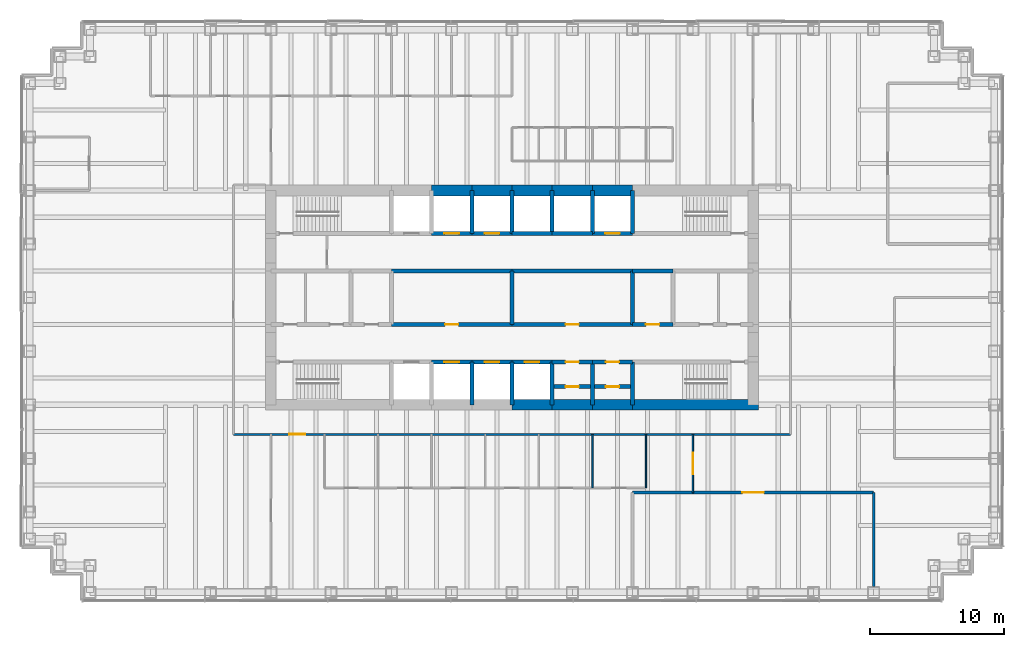
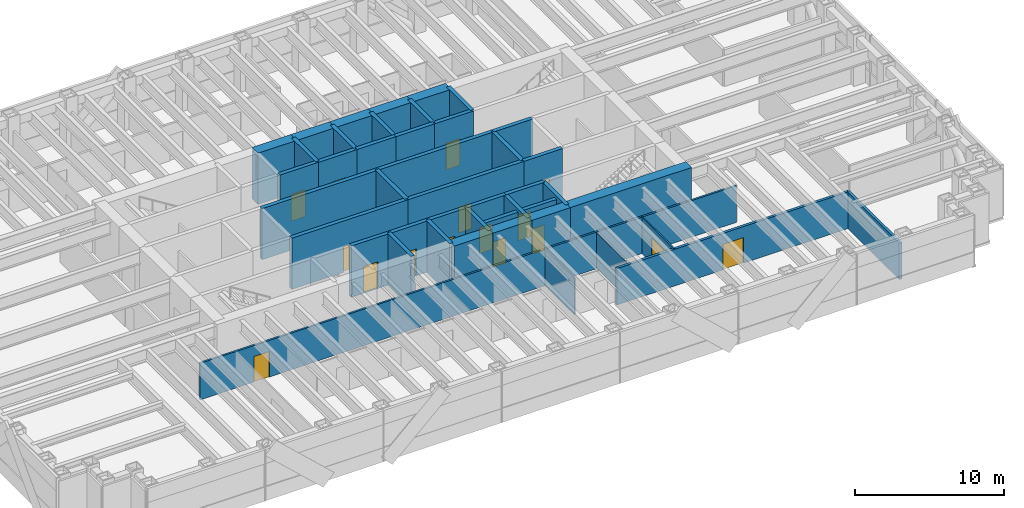
# One storey, part 9 of 12: 45 walls, 16 doors, 16 openings.
"""IFC4 building model written with IfcOpenShell, lengths in metres."""

from ifc_helpers import new_model, si_unit, direction, frame, frame_2d, origin, place, context, subcontext, project, spatial, rectangle, extrude, material, layer, layer_set, type_object, element, fill, save


model = new_model("IFC4")

# Units and contexts
model_context = context("Model", 3, precision=1e-05, world=origin(), true_north=direction((0.0, 1.0)))
body_context = subcontext(model_context, "Body", "Model", "MODEL_VIEW")
ifc_project = project(units=[si_unit("LENGTHUNIT", "METRE"), si_unit("AREAUNIT", "SQUARE_METRE"), si_unit("VOLUMEUNIT", "CUBIC_METRE"), si_unit("PLANEANGLEUNIT", "RADIAN"), si_unit("MASSUNIT", "GRAM", prefix="KILO")], contexts=[model_context])

# Site, building, storey
site_placement = place(None, origin())
site = spatial("IfcSite", under=ifc_project, at=site_placement, CompositionType="ELEMENT")
building_placement = place(site_placement, origin())
building = spatial("IfcBuilding", under=site, at=building_placement, Name="Rheinbord Bourse Tower", CompositionType="ELEMENT")
storey_placement = place(building_placement, frame((0.0, 0.0, 261.39990234375)))
storey = spatial("IfcBuildingStorey", under=building, at=storey_placement, Name="L59", CompositionType="ELEMENT", Elevation=261.39990234375)

# Wall, opening, door
ifc_material_1 = material(Name="Acoustic gypsum board partition", Category="gypsum board")
ifc_layer_1 = layer(ifc_material_1, 0.199951171875)
ifc_layer_set_1 = layer_set([ifc_layer_1], Name="ACOUSTIC PARTITION 200")
wall_type_1 = type_object("IfcWallType", Name="ACOUSTIC PARTITION 200", PredefinedType="PARTITIONING", material=ifc_layer_set_1)
wall_1_placement = place(storey_placement, frame((45.0, 9.449951171875, 0.0), z_axis=(0.0, 0.0, 1.0), x_axis=(1.0, 0.0, 0.0)))
wall_1 = element("IfcWall", 1, at=wall_1_placement, inside=storey, type_object=wall_type_1, Name="Partition L59-01", PredefinedType="PARTITIONING", context=body_context, shape_type="SweptSolid", body=[
    extrude(rectangle(XDim=18.0, YDim=0.199951171875, at=frame_2d((9.0, 0.0))), origin(), (0.0, 0.0, 1.0), 3.0),
])
opening_1_placement = place(wall_1_placement, frame((8.199951171875, 0.0, 0.0)))
opening_1 = element("IfcOpeningElement", 2, at=opening_1_placement, cuts=wall_1, Name="Opening 59D01", PredefinedType="OPENING", context=body_context, shape_type="SweptSolid", body=[
    extrude(rectangle(XDim=1.60009765625, YDim=2.10009765625, at=frame_2d((0.800048828125, 1.050048828125))), frame((0.0, 0.10986328125, 0.0), z_axis=(0.0, -1.0, 0.0), x_axis=(1.0, 0.0, 0.0)), (0.0, 0.0, 1.0), 0.219970703125),
])
ifc_material_2 = material(Name="Timber door", Category="wood")
door_type_1 = type_object("IfcDoorType", Name="DOUBLE ROOM DOOR 1600", OperationType="DOUBLE_DOOR_DOUBLE_SWING", PredefinedType="DOOR", material=ifc_material_2)
door_1_placement = place(opening_1_placement, origin())
door_1 = element("IfcDoor", 3, at=door_1_placement, inside=storey, type_object=door_type_1, Name="Project room door L59", OperationType="SINGLE_SWING_LEFT", OverallHeight=2.10009765625, OverallWidth=1.60009765625, PredefinedType="DOOR", context=body_context, shape_type="SweptSolid", body=[
    extrude(rectangle(XDim=1.60009765625, YDim=2.10009765625, at=frame_2d((0.800048828125, 1.050048828125))), frame((0.0, 0.02490234375, 0.0), z_axis=(0.0, -1.0, 0.0), x_axis=(1.0, 0.0, 0.0)), (0.0, 0.0, 1.0), 0.050048828125),
])
fill(opening_1, door_1)

# Wall
wall_2_placement = place(storey_placement, frame((63.0, 2.449951171875, 0.0), z_axis=(0.0, 0.0, 1.0), x_axis=(0.0, 1.0, 0.0)))
element("IfcWall", 4, at=wall_2_placement, inside=storey, type_object=wall_type_1, Name="Partition L59-44", PredefinedType="PARTITIONING", context=body_context, shape_type="SweptSolid", body=[
    extrude(rectangle(XDim=7.0, YDim=0.199951171875, at=frame_2d((3.5, 0.0))), origin(), (0.0, 0.0, 1.0), 3.0),
])

# Wall, opening, door
ifc_material_3 = material(Name="Concrete C50/60", Category="concrete")
ifc_layer_2 = layer(ifc_material_3, 0.300048828125)
ifc_layer_set_2 = layer_set([ifc_layer_2], Name="CORE INNER WALL 300")
wall_type_2 = type_object("IfcWallType", Name="CORE INNER WALL 300", PredefinedType="SOLIDWALL", material=ifc_layer_set_2)
wall_3_placement = place(storey_placement, frame((30.0, 19.199951171875, 0.0), z_axis=(0.0, 0.0, 1.0), x_axis=(1.0, 0.0, 0.0)))
wall_3 = element("IfcWall", 5, at=wall_3_placement, inside=storey, type_object=wall_type_2, Name="Core wall A3 L59", PredefinedType="SOLIDWALL", context=body_context, shape_type="SweptSolid", body=[
    extrude(rectangle(XDim=3.0, YDim=0.300048828125, at=frame_2d((1.5, 0.0))), origin(), (0.0, 0.0, 1.0), 4.2001953125),
])
opening_2_placement = place(wall_3_placement, frame((0.949951171875, 0.0, 0.0)))
opening_2 = element("IfcOpeningElement", 6, at=opening_2_placement, cuts=wall_3, Name="Opening PC1", PredefinedType="OPENING", context=body_context, shape_type="SweptSolid", body=[
    extrude(rectangle(XDim=1.10009765625, YDim=2.199951171875, at=frame_2d((0.550048828125, 1.10009765625))), frame((0.0, 0.159912109375, 0.0), z_axis=(0.0, -1.0, 0.0), x_axis=(1.0, 0.0, 0.0)), (0.0, 0.0, 1.0), 0.320068359375),
])
ifc_material_4 = material(Name="Steel landing door", Category="steel")
door_type_2 = type_object("IfcDoorType", Name="LIFT LANDING DOOR 1100", OperationType="DOUBLE_DOOR_SLIDING", PredefinedType="USERDEFINED", material=ifc_material_4)
door_2_placement = place(opening_2_placement, origin())
door_2 = element("IfcDoor", 7, at=door_2_placement, inside=storey, type_object=door_type_2, Name="Lift landing door PC1 L59", ObjectType="LIFT LANDING DOOR", OperationType="DOUBLE_DOOR_SLIDING", OverallHeight=2.199951171875, OverallWidth=1.10009765625, PredefinedType="USERDEFINED", context=body_context, shape_type="SweptSolid", body=[
    extrude(rectangle(XDim=1.10009765625, YDim=2.199951171875, at=frame_2d((0.550048828125, 1.10009765625))), frame((0.0, 0.02490234375, 0.0), z_axis=(0.0, -1.0, 0.0), x_axis=(1.0, 0.0, 0.0)), (0.0, 0.0, 1.0), 0.050048828125),
])
fill(opening_2, door_2)

wall_4_placement = place(storey_placement, frame((33.0, 19.199951171875, 0.0), z_axis=(0.0, 0.0, 1.0), x_axis=(1.0, 0.0, 0.0)))
wall_4 = element("IfcWall", 8, at=wall_4_placement, inside=storey, type_object=wall_type_2, Name="Core wall A4 L59", PredefinedType="SOLIDWALL", context=body_context, shape_type="SweptSolid", body=[
    extrude(rectangle(XDim=3.0, YDim=0.300048828125, at=frame_2d((1.5, 0.0))), origin(), (0.0, 0.0, 1.0), 4.2001953125),
])
opening_3_placement = place(wall_4_placement, frame((0.949951171875, 0.0, 0.0)))
opening_3 = element("IfcOpeningElement", 9, at=opening_3_placement, cuts=wall_4, Name="Opening PC2", PredefinedType="OPENING", context=body_context, shape_type="SweptSolid", body=[
    extrude(rectangle(XDim=1.10009765625, YDim=2.199951171875, at=frame_2d((0.550048828125, 1.10009765625))), frame((0.0, 0.159912109375, 0.0), z_axis=(0.0, -1.0, 0.0), x_axis=(1.0, 0.0, 0.0)), (0.0, 0.0, 1.0), 0.320068359375),
])
door_3_placement = place(opening_3_placement, origin())
door_3 = element("IfcDoor", 10, at=door_3_placement, inside=storey, type_object=door_type_2, Name="Lift landing door PC2 L59", ObjectType="LIFT LANDING DOOR", OperationType="DOUBLE_DOOR_SLIDING", OverallHeight=2.199951171875, OverallWidth=1.10009765625, PredefinedType="USERDEFINED", context=body_context, shape_type="SweptSolid", body=[
    extrude(rectangle(XDim=1.10009765625, YDim=2.199951171875, at=frame_2d((0.550048828125, 1.10009765625))), frame((0.0, 0.02490234375, 0.0), z_axis=(0.0, -1.0, 0.0), x_axis=(1.0, 0.0, 0.0)), (0.0, 0.0, 1.0), 0.050048828125),
])
fill(opening_3, door_3)

wall_5_placement = place(storey_placement, frame((36.0, 19.199951171875, 0.0), z_axis=(0.0, 0.0, 1.0), x_axis=(1.0, 0.0, 0.0)))
wall_5 = element("IfcWall", 11, at=wall_5_placement, inside=storey, type_object=wall_type_2, Name="Core wall A5 L59", PredefinedType="SOLIDWALL", context=body_context, shape_type="SweptSolid", body=[
    extrude(rectangle(XDim=3.0, YDim=0.300048828125, at=frame_2d((1.5, 0.0))), origin(), (0.0, 0.0, 1.0), 4.2001953125),
])
opening_4_placement = place(wall_5_placement, frame((0.949951171875, 0.0, 0.0)))
opening_4 = element("IfcOpeningElement", 12, at=opening_4_placement, cuts=wall_5, Name="Opening PC3", PredefinedType="OPENING", context=body_context, shape_type="SweptSolid", body=[
    extrude(rectangle(XDim=1.10009765625, YDim=2.199951171875, at=frame_2d((0.550048828125, 1.10009765625))), frame((0.0, 0.159912109375, 0.0), z_axis=(0.0, -1.0, 0.0), x_axis=(1.0, 0.0, 0.0)), (0.0, 0.0, 1.0), 0.320068359375),
])
door_4_placement = place(opening_4_placement, origin())
door_4 = element("IfcDoor", 13, at=door_4_placement, inside=storey, type_object=door_type_2, Name="Lift landing door PC3 L59", ObjectType="LIFT LANDING DOOR", OperationType="DOUBLE_DOOR_SLIDING", OverallHeight=2.199951171875, OverallWidth=1.10009765625, PredefinedType="USERDEFINED", context=body_context, shape_type="SweptSolid", body=[
    extrude(rectangle(XDim=1.10009765625, YDim=2.199951171875, at=frame_2d((0.550048828125, 1.10009765625))), frame((0.0, 0.02490234375, 0.0), z_axis=(0.0, -1.0, 0.0), x_axis=(1.0, 0.0, 0.0)), (0.0, 0.0, 1.0), 0.050048828125),
])
fill(opening_4, door_4)

wall_6_placement = place(storey_placement, frame((39.0, 19.199951171875, 0.0), z_axis=(0.0, 0.0, 1.0), x_axis=(1.0, 0.0, 0.0)))
wall_6 = element("IfcWall", 14, at=wall_6_placement, inside=storey, type_object=wall_type_2, Name="Core wall A6 L59", PredefinedType="SOLIDWALL", context=body_context, shape_type="SweptSolid", body=[
    extrude(rectangle(XDim=3.0, YDim=0.300048828125, at=frame_2d((1.5, 0.0))), origin(), (0.0, 0.0, 1.0), 4.2001953125),
])
opening_5_placement = place(wall_6_placement, frame((1.0, 0.0, 0.0)))
opening_5 = element("IfcOpeningElement", 15, at=opening_5_placement, cuts=wall_6, Name="Opening 59R8", PredefinedType="OPENING", context=body_context, shape_type="SweptSolid", body=[
    extrude(rectangle(XDim=1.0, YDim=2.10009765625, at=frame_2d((0.5, 1.050048828125))), frame((0.0, 0.159912109375, 0.0), z_axis=(0.0, -1.0, 0.0), x_axis=(1.0, 0.0, 0.0)), (0.0, 0.0, 1.0), 0.320068359375),
])
ifc_material_5 = material(Name="Steel door", Category="steel")
door_type_3 = type_object("IfcDoorType", Name="DOOR 1000 EI30", OperationType="SINGLE_SWING_LEFT", PredefinedType="DOOR", material=ifc_material_5)
door_5_placement = place(opening_5_placement, origin())
door_5 = element("IfcDoor", 16, at=door_5_placement, inside=storey, type_object=door_type_3, Name="Archive store door L59", OperationType="SINGLE_SWING_LEFT", OverallHeight=2.10009765625, OverallWidth=1.0, PredefinedType="DOOR", context=body_context, shape_type="SweptSolid", body=[
    extrude(rectangle(XDim=1.0, YDim=2.10009765625, at=frame_2d((0.5, 1.050048828125))), frame((0.0, 0.02490234375, 0.0), z_axis=(0.0, -1.0, 0.0), x_axis=(1.0, 0.0, 0.0)), (0.0, 0.0, 1.0), 0.050048828125),
])
fill(opening_5, door_5)

wall_7_placement = place(storey_placement, frame((42.0, 19.199951171875, 0.0), z_axis=(0.0, 0.0, 1.0), x_axis=(1.0, 0.0, 0.0)))
wall_7 = element("IfcWall", 17, at=wall_7_placement, inside=storey, type_object=wall_type_2, Name="Core wall A7 L59", PredefinedType="SOLIDWALL", context=body_context, shape_type="SweptSolid", body=[
    extrude(rectangle(XDim=3.0, YDim=0.300048828125, at=frame_2d((1.5, 0.0))), origin(), (0.0, 0.0, 1.0), 4.2001953125),
])
opening_6_placement = place(wall_7_placement, frame((1.0, 0.0, 0.0)))
opening_6 = element("IfcOpeningElement", 18, at=opening_6_placement, cuts=wall_7, Name="Opening 59R9", PredefinedType="OPENING", context=body_context, shape_type="SweptSolid", body=[
    extrude(rectangle(XDim=1.0, YDim=2.10009765625, at=frame_2d((0.5, 1.050048828125))), frame((0.0, 0.159912109375, 0.0), z_axis=(0.0, -1.0, 0.0), x_axis=(1.0, 0.0, 0.0)), (0.0, 0.0, 1.0), 0.320068359375),
])
door_6_placement = place(opening_6_placement, origin())
door_6 = element("IfcDoor", 19, at=door_6_placement, inside=storey, type_object=door_type_3, Name="Mail room door L59", OperationType="SINGLE_SWING_LEFT", OverallHeight=2.10009765625, OverallWidth=1.0, PredefinedType="DOOR", context=body_context, shape_type="SweptSolid", body=[
    extrude(rectangle(XDim=1.0, YDim=2.10009765625, at=frame_2d((0.5, 1.050048828125))), frame((0.0, 0.02490234375, 0.0), z_axis=(0.0, -1.0, 0.0), x_axis=(1.0, 0.0, 0.0)), (0.0, 0.0, 1.0), 0.050048828125),
])
fill(opening_6, door_6)

wall_8_placement = place(storey_placement, frame((30.0, 28.800048828125, 0.0), z_axis=(0.0, 0.0, 1.0), x_axis=(1.0, 0.0, 0.0)))
wall_8 = element("IfcWall", 20, at=wall_8_placement, inside=storey, type_object=wall_type_2, Name="Core wall B3 L59", PredefinedType="SOLIDWALL", context=body_context, shape_type="SweptSolid", body=[
    extrude(rectangle(XDim=3.0, YDim=0.300048828125, at=frame_2d((1.5, 0.0))), origin(), (0.0, 0.0, 1.0), 4.2001953125),
])
opening_7_placement = place(wall_8_placement, frame((0.949951171875, 0.0, 0.0)))
opening_7 = element("IfcOpeningElement", 21, at=opening_7_placement, cuts=wall_8, Name="Opening PC4", PredefinedType="OPENING", context=body_context, shape_type="SweptSolid", body=[
    extrude(rectangle(XDim=1.10009765625, YDim=2.199951171875, at=frame_2d((0.550048828125, 1.10009765625))), frame((0.0, 0.159912109375, 0.0), z_axis=(0.0, -1.0, 0.0), x_axis=(1.0, 0.0, 0.0)), (0.0, 0.0, 1.0), 0.320068359375),
])
door_7_placement = place(opening_7_placement, origin())
door_7 = element("IfcDoor", 22, at=door_7_placement, inside=storey, type_object=door_type_2, Name="Lift landing door PC4 L59", ObjectType="LIFT LANDING DOOR", OperationType="DOUBLE_DOOR_SLIDING", OverallHeight=2.199951171875, OverallWidth=1.10009765625, PredefinedType="USERDEFINED", context=body_context, shape_type="SweptSolid", body=[
    extrude(rectangle(XDim=1.10009765625, YDim=2.199951171875, at=frame_2d((0.550048828125, 1.10009765625))), frame((0.0, 0.02490234375, 0.0), z_axis=(0.0, -1.0, 0.0), x_axis=(1.0, 0.0, 0.0)), (0.0, 0.0, 1.0), 0.050048828125),
])
fill(opening_7, door_7)

wall_9_placement = place(storey_placement, frame((33.0, 28.800048828125, 0.0), z_axis=(0.0, 0.0, 1.0), x_axis=(1.0, 0.0, 0.0)))
wall_9 = element("IfcWall", 23, at=wall_9_placement, inside=storey, type_object=wall_type_2, Name="Core wall B4 L59", PredefinedType="SOLIDWALL", context=body_context, shape_type="SweptSolid", body=[
    extrude(rectangle(XDim=3.0, YDim=0.300048828125, at=frame_2d((1.5, 0.0))), origin(), (0.0, 0.0, 1.0), 4.2001953125),
])
opening_8_placement = place(wall_9_placement, frame((0.949951171875, 0.0, 0.0)))
opening_8 = element("IfcOpeningElement", 24, at=opening_8_placement, cuts=wall_9, Name="Opening PC5", PredefinedType="OPENING", context=body_context, shape_type="SweptSolid", body=[
    extrude(rectangle(XDim=1.10009765625, YDim=2.199951171875, at=frame_2d((0.550048828125, 1.10009765625))), frame((0.0, 0.159912109375, 0.0), z_axis=(0.0, -1.0, 0.0), x_axis=(1.0, 0.0, 0.0)), (0.0, 0.0, 1.0), 0.320068359375),
])
door_8_placement = place(opening_8_placement, origin())
door_8 = element("IfcDoor", 25, at=door_8_placement, inside=storey, type_object=door_type_2, Name="Lift landing door PC5 L59", ObjectType="LIFT LANDING DOOR", OperationType="DOUBLE_DOOR_SLIDING", OverallHeight=2.199951171875, OverallWidth=1.10009765625, PredefinedType="USERDEFINED", context=body_context, shape_type="SweptSolid", body=[
    extrude(rectangle(XDim=1.10009765625, YDim=2.199951171875, at=frame_2d((0.550048828125, 1.10009765625))), frame((0.0, 0.02490234375, 0.0), z_axis=(0.0, -1.0, 0.0), x_axis=(1.0, 0.0, 0.0)), (0.0, 0.0, 1.0), 0.050048828125),
])
fill(opening_8, door_8)

# Walls
for number, where, z_axis, x_axis, name in (
    (26, (36.0, 28.800048828125, 0.0), (0.0, 0.0, 1.0), (1.0, 0.0, 0.0), "Core wall B5 L59"),
    (27, (39.0, 28.800048828125, 0.0), (0.0, 0.0, 1.0), (1.0, 0.0, 0.0), "Core wall B6 L59"),
):
    element("IfcWall", number, at=place(storey_placement, frame(where, z_axis=z_axis, x_axis=x_axis)), inside=storey, type_object=wall_type_2, Name=name, PredefinedType="SOLIDWALL", context=body_context, shape_type="SweptSolid", body=[
        extrude(rectangle(XDim=3.0, YDim=0.300048828125, at=frame_2d((1.5, 0.0))), origin(), (0.0, 0.0, 1.0), 4.2001953125),
    ])

# Wall, opening, door
wall_10_placement = place(storey_placement, frame((42.0, 28.800048828125, 0.0), z_axis=(0.0, 0.0, 1.0), x_axis=(1.0, 0.0, 0.0)))
wall_10 = element("IfcWall", 28, at=wall_10_placement, inside=storey, type_object=wall_type_2, Name="Core wall B7 L59", PredefinedType="SOLIDWALL", context=body_context, shape_type="SweptSolid", body=[
    extrude(rectangle(XDim=3.0, YDim=0.300048828125, at=frame_2d((1.5, 0.0))), origin(), (0.0, 0.0, 1.0), 4.2001953125),
])
opening_9_placement = place(wall_10_placement, frame((0.949951171875, 0.0, 0.0)))
opening_9 = element("IfcOpeningElement", 29, at=opening_9_placement, cuts=wall_10, Name="Opening FL2", PredefinedType="OPENING", context=body_context, shape_type="SweptSolid", body=[
    extrude(rectangle(XDim=1.10009765625, YDim=2.199951171875, at=frame_2d((0.550048828125, 1.10009765625))), frame((0.0, 0.159912109375, 0.0), z_axis=(0.0, -1.0, 0.0), x_axis=(1.0, 0.0, 0.0)), (0.0, 0.0, 1.0), 0.320068359375),
])
door_9_placement = place(opening_9_placement, origin())
door_9 = element("IfcDoor", 30, at=door_9_placement, inside=storey, type_object=door_type_2, Name="Lift landing door FL2 L59", ObjectType="LIFT LANDING DOOR", OperationType="DOUBLE_DOOR_SLIDING", OverallHeight=2.199951171875, OverallWidth=1.10009765625, PredefinedType="USERDEFINED", context=body_context, shape_type="SweptSolid", body=[
    extrude(rectangle(XDim=1.10009765625, YDim=2.199951171875, at=frame_2d((0.550048828125, 1.10009765625))), frame((0.0, 0.02490234375, 0.0), z_axis=(0.0, -1.0, 0.0), x_axis=(1.0, 0.0, 0.0)), (0.0, 0.0, 1.0), 0.050048828125),
])
fill(opening_9, door_9)

wall_11_placement = place(storey_placement, frame((27.0, 22.0, 0.0), z_axis=(0.0, 0.0, 1.0), x_axis=(1.0, 0.0, 0.0)))
wall_11 = element("IfcWall", 31, at=wall_11_placement, inside=storey, type_object=wall_type_2, Name="Core wall C3 L59", PredefinedType="SOLIDWALL", context=body_context, shape_type="SweptSolid", body=[
    extrude(rectangle(XDim=9.0, YDim=0.300048828125, at=frame_2d((4.5, 0.0))), origin(), (0.0, 0.0, 1.0), 4.2001953125),
])
opening_10_placement = place(wall_11_placement, frame((4.0, 0.0, 0.0)))
opening_10 = element("IfcOpeningElement", 32, at=opening_10_placement, cuts=wall_11, Name="Opening 59R3", PredefinedType="OPENING", context=body_context, shape_type="SweptSolid", body=[
    extrude(rectangle(XDim=1.0, YDim=2.10009765625, at=frame_2d((0.5, 1.050048828125))), frame((0.0, 0.159912109375, 0.0), z_axis=(0.0, -1.0, 0.0), x_axis=(1.0, 0.0, 0.0)), (0.0, 0.0, 1.0), 0.320068359375),
])
door_10_placement = place(opening_10_placement, origin())
door_10 = element("IfcDoor", 33, at=door_10_placement, inside=storey, type_object=door_type_3, Name="Riser door L59", OperationType="SINGLE_SWING_LEFT", OverallHeight=2.10009765625, OverallWidth=1.0, PredefinedType="DOOR", context=body_context, shape_type="SweptSolid", body=[
    extrude(rectangle(XDim=1.0, YDim=2.10009765625, at=frame_2d((0.5, 1.050048828125))), frame((0.0, 0.02490234375, 0.0), z_axis=(0.0, -1.0, 0.0), x_axis=(1.0, 0.0, 0.0)), (0.0, 0.0, 1.0), 0.050048828125),
])
fill(opening_10, door_10)

wall_12_placement = place(storey_placement, frame((36.0, 22.0, 0.0), z_axis=(0.0, 0.0, 1.0), x_axis=(1.0, 0.0, 0.0)))
wall_12 = element("IfcWall", 34, at=wall_12_placement, inside=storey, type_object=wall_type_2, Name="Core wall C4 L59", PredefinedType="SOLIDWALL", context=body_context, shape_type="SweptSolid", body=[
    extrude(rectangle(XDim=9.0, YDim=0.300048828125, at=frame_2d((4.5, 0.0))), origin(), (0.0, 0.0, 1.0), 4.2001953125),
])
opening_11_placement = place(wall_12_placement, frame((4.0, 0.0, 0.0)))
opening_11 = element("IfcOpeningElement", 35, at=opening_11_placement, cuts=wall_12, Name="Opening 59R4", PredefinedType="OPENING", context=body_context, shape_type="SweptSolid", body=[
    extrude(rectangle(XDim=1.0, YDim=2.10009765625, at=frame_2d((0.5, 1.050048828125))), frame((0.0, 0.159912109375, 0.0), z_axis=(0.0, -1.0, 0.0), x_axis=(1.0, 0.0, 0.0)), (0.0, 0.0, 1.0), 0.320068359375),
])
door_11_placement = place(opening_11_placement, origin())
door_11 = element("IfcDoor", 36, at=door_11_placement, inside=storey, type_object=door_type_3, Name="Store door L59", OperationType="SINGLE_SWING_LEFT", OverallHeight=2.10009765625, OverallWidth=1.0, PredefinedType="DOOR", context=body_context, shape_type="SweptSolid", body=[
    extrude(rectangle(XDim=1.0, YDim=2.10009765625, at=frame_2d((0.5, 1.050048828125))), frame((0.0, 0.02490234375, 0.0), z_axis=(0.0, -1.0, 0.0), x_axis=(1.0, 0.0, 0.0)), (0.0, 0.0, 1.0), 0.050048828125),
])
fill(opening_11, door_11)

wall_13_placement = place(storey_placement, frame((45.0, 22.0, 0.0), z_axis=(0.0, 0.0, 1.0), x_axis=(1.0, 0.0, 0.0)))
wall_13 = element("IfcWall", 37, at=wall_13_placement, inside=storey, type_object=wall_type_2, Name="Core wall C5 L59", PredefinedType="SOLIDWALL", context=body_context, shape_type="SweptSolid", body=[
    extrude(rectangle(XDim=3.0, YDim=0.300048828125, at=frame_2d((1.5, 0.0))), origin(), (0.0, 0.0, 1.0), 4.2001953125),
])
opening_12_placement = place(wall_13_placement, frame((1.0, 0.0, 0.0)))
opening_12 = element("IfcOpeningElement", 38, at=opening_12_placement, cuts=wall_13, Name="Opening 59R5", PredefinedType="OPENING", context=body_context, shape_type="SweptSolid", body=[
    extrude(rectangle(XDim=1.0, YDim=2.10009765625, at=frame_2d((0.5, 1.050048828125))), frame((0.0, 0.159912109375, 0.0), z_axis=(0.0, -1.0, 0.0), x_axis=(1.0, 0.0, 0.0)), (0.0, 0.0, 1.0), 0.320068359375),
])
ifc_material_6 = material(Name="Timber door", Category="wood")
door_type_4 = type_object("IfcDoorType", Name="DOOR 1000 WC", OperationType="SINGLE_SWING_LEFT", PredefinedType="DOOR", material=ifc_material_6)
door_12_placement = place(opening_12_placement, origin())
door_12 = element("IfcDoor", 39, at=door_12_placement, inside=storey, type_object=door_type_4, Name="Accessible WC door L59", OperationType="SINGLE_SWING_LEFT", OverallHeight=2.10009765625, OverallWidth=1.0, PredefinedType="DOOR", context=body_context, shape_type="SweptSolid", body=[
    extrude(rectangle(XDim=1.0, YDim=2.10009765625, at=frame_2d((0.5, 1.050048828125))), frame((0.0, 0.02490234375, 0.0), z_axis=(0.0, -1.0, 0.0), x_axis=(1.0, 0.0, 0.0)), (0.0, 0.0, 1.0), 0.050048828125),
])
fill(opening_12, door_12)

# Walls
for number, where, z_axis, x_axis, name in (
    (40, (27.0, 26.0, 0.0), (0.0, 0.0, 1.0), (1.0, 0.0, 0.0), "Core wall D3 L59"),
    (41, (36.0, 26.0, 0.0), (0.0, 0.0, 1.0), (1.0, 0.0, 0.0), "Core wall D4 L59"),
):
    element("IfcWall", number, at=place(storey_placement, frame(where, z_axis=z_axis, x_axis=x_axis)), inside=storey, type_object=wall_type_2, Name=name, PredefinedType="SOLIDWALL", context=body_context, shape_type="SweptSolid", body=[
        extrude(rectangle(XDim=9.0, YDim=0.300048828125, at=frame_2d((4.5, 0.0))), origin(), (0.0, 0.0, 1.0), 4.2001953125),
    ])
wall_14_placement = place(storey_placement, frame((45.0, 26.0, 0.0), z_axis=(0.0, 0.0, 1.0), x_axis=(1.0, 0.0, 0.0)))
element("IfcWall", 42, at=wall_14_placement, inside=storey, type_object=wall_type_2, Name="Core wall D5 L59", PredefinedType="SOLIDWALL", context=body_context, shape_type="SweptSolid", body=[
    extrude(rectangle(XDim=3.0, YDim=0.300048828125, at=frame_2d((1.5, 0.0))), origin(), (0.0, 0.0, 1.0), 4.2001953125),
])
for number, where, z_axis, x_axis, name in (
    (43, (33.0, 16.0, 0.0), (0.0, 0.0, 1.0), (0.0, 1.0, 0.0), "Core wall SX33 L59"),
    (44, (33.0, 28.800048828125, 0.0), (0.0, 0.0, 1.0), (0.0, 1.0, 0.0), "Core wall NX33 L59"),
    (45, (36.0, 16.0, 0.0), (0.0, 0.0, 1.0), (0.0, 1.0, 0.0), "Core wall SX36 L59"),
    (46, (36.0, 28.800048828125, 0.0), (0.0, 0.0, 1.0), (0.0, 1.0, 0.0), "Core wall NX36 L59"),
    (47, (39.0, 16.0, 0.0), (0.0, 0.0, 1.0), (0.0, 1.0, 0.0), "Core wall SX39 L59"),
    (48, (39.0, 28.800048828125, 0.0), (0.0, 0.0, 1.0), (0.0, 1.0, 0.0), "Core wall NX39 L59"),
    (49, (42.0, 16.0, 0.0), (0.0, 0.0, 1.0), (0.0, 1.0, 0.0), "Core wall SX42 L59"),
    (50, (42.0, 28.800048828125, 0.0), (0.0, 0.0, 1.0), (0.0, 1.0, 0.0), "Core wall NX42 L59"),
    (51, (45.0, 16.0, 0.0), (0.0, 0.0, 1.0), (0.0, 1.0, 0.0), "Core wall SX45 L59"),
    (52, (45.0, 28.800048828125, 0.0), (0.0, 0.0, 1.0), (0.0, 1.0, 0.0), "Core wall NX45 L59"),
):
    element("IfcWall", number, at=place(storey_placement, frame(where, z_axis=z_axis, x_axis=x_axis)), inside=storey, type_object=wall_type_2, Name=name, PredefinedType="SOLIDWALL", context=body_context, shape_type="SweptSolid", body=[
        extrude(rectangle(XDim=3.199951171875, YDim=0.300048828125, at=frame_2d((1.60009765625, 0.0))), origin(), (0.0, 0.0, 1.0), 4.2001953125),
    ])
for number, where, z_axis, x_axis, name in (
    (53, (36.0, 22.0, 0.0), (0.0, 0.0, 1.0), (0.0, 1.0, 0.0), "Core wall MX36 L59"),
    (54, (45.0, 22.0, 0.0), (0.0, 0.0, 1.0), (0.0, 1.0, 0.0), "Core wall MX45 L59"),
):
    element("IfcWall", number, at=place(storey_placement, frame(where, z_axis=z_axis, x_axis=x_axis)), inside=storey, type_object=wall_type_2, Name=name, PredefinedType="SOLIDWALL", context=body_context, shape_type="SweptSolid", body=[
        extrude(rectangle(XDim=4.0, YDim=0.300048828125, at=frame_2d((2.0, 0.0))), origin(), (0.0, 0.0, 1.0), 4.2001953125),
    ])

# Wall, opening, door
wall_15_placement = place(storey_placement, frame((39.14990234375, 17.35009765625, 0.0), z_axis=(0.0, 0.0, 1.0), x_axis=(1.0, 0.0, 0.0)))
wall_15 = element("IfcWall", 55, at=wall_15_placement, inside=storey, type_object=wall_type_2, Name="Core riser wall L59-6", PredefinedType="SOLIDWALL", context=body_context, shape_type="SweptSolid", body=[
    extrude(rectangle(XDim=2.7001953125, YDim=0.300048828125, at=frame_2d((1.35009765625, 0.0))), origin(), (0.0, 0.0, 1.0), 3.9501953125),
])
opening_13_placement = place(wall_15_placement, frame((0.85009765625, 0.0, 0.0)))
opening_13 = element("IfcOpeningElement", 56, at=opening_13_placement, cuts=wall_15, Name="Opening 59R12", PredefinedType="OPENING", context=body_context, shape_type="SweptSolid", body=[
    extrude(rectangle(XDim=1.0, YDim=2.10009765625, at=frame_2d((0.5, 1.050048828125))), frame((0.0, 0.159912109375, 0.0), z_axis=(0.0, -1.0, 0.0), x_axis=(1.0, 0.0, 0.0)), (0.0, 0.0, 1.0), 0.320068359375),
])
door_13_placement = place(opening_13_placement, origin())
door_13 = element("IfcDoor", 57, at=door_13_placement, inside=storey, type_object=door_type_3, Name="Comms riser door L59", OperationType="SINGLE_SWING_LEFT", OverallHeight=2.10009765625, OverallWidth=1.0, PredefinedType="DOOR", context=body_context, shape_type="SweptSolid", body=[
    extrude(rectangle(XDim=1.0, YDim=2.10009765625, at=frame_2d((0.5, 1.050048828125))), frame((0.0, 0.02490234375, 0.0), z_axis=(0.0, -1.0, 0.0), x_axis=(1.0, 0.0, 0.0)), (0.0, 0.0, 1.0), 0.050048828125),
])
fill(opening_13, door_13)

wall_16_placement = place(storey_placement, frame((42.14990234375, 17.35009765625, 0.0), z_axis=(0.0, 0.0, 1.0), x_axis=(1.0, 0.0, 0.0)))
wall_16 = element("IfcWall", 58, at=wall_16_placement, inside=storey, type_object=wall_type_2, Name="Core riser wall L59-7", PredefinedType="SOLIDWALL", context=body_context, shape_type="SweptSolid", body=[
    extrude(rectangle(XDim=2.7001953125, YDim=0.300048828125, at=frame_2d((1.35009765625, 0.0))), origin(), (0.0, 0.0, 1.0), 3.9501953125),
])
opening_14_placement = place(wall_16_placement, frame((0.85009765625, 0.0, 0.0)))
opening_14 = element("IfcOpeningElement", 59, at=opening_14_placement, cuts=wall_16, Name="Opening 59R13", PredefinedType="OPENING", context=body_context, shape_type="SweptSolid", body=[
    extrude(rectangle(XDim=1.0, YDim=2.10009765625, at=frame_2d((0.5, 1.050048828125))), frame((0.0, 0.159912109375, 0.0), z_axis=(0.0, -1.0, 0.0), x_axis=(1.0, 0.0, 0.0)), (0.0, 0.0, 1.0), 0.320068359375),
])
door_14_placement = place(opening_14_placement, origin())
door_14 = element("IfcDoor", 60, at=door_14_placement, inside=storey, type_object=door_type_3, Name="Electrical riser door L59", OperationType="SINGLE_SWING_LEFT", OverallHeight=2.10009765625, OverallWidth=1.0, PredefinedType="DOOR", context=body_context, shape_type="SweptSolid", body=[
    extrude(rectangle(XDim=1.0, YDim=2.10009765625, at=frame_2d((0.5, 1.050048828125))), frame((0.0, 0.02490234375, 0.0), z_axis=(0.0, -1.0, 0.0), x_axis=(1.0, 0.0, 0.0)), (0.0, 0.0, 1.0), 0.050048828125),
])
fill(opening_14, door_14)

# Walls
ifc_material_7 = material(Name="Concrete C50/60", Category="concrete")
ifc_layer_3 = layer(ifc_material_7, 0.800048828125)
ifc_layer_set_3 = layer_set([ifc_layer_3], Name="CORE WALL 800")
wall_type_3 = type_object("IfcWallType", Name="CORE WALL 800", PredefinedType="SHEAR", material=ifc_layer_set_3)
for number, where, z_axis, x_axis, name in (
    (61, (36.0, 16.0, 0.0), (0.0, 0.0, 1.0), (1.0, 0.0, 0.0), "Core wall S5 L59"),
    (62, (39.0, 16.0, 0.0), (0.0, 0.0, 1.0), (1.0, 0.0, 0.0), "Core wall S6 L59"),
    (63, (42.0, 16.0, 0.0), (0.0, 0.0, 1.0), (1.0, 0.0, 0.0), "Core wall S7 L59"),
):
    element("IfcWall", number, at=place(storey_placement, frame(where, z_axis=z_axis, x_axis=x_axis)), inside=storey, type_object=wall_type_3, Name=name, PredefinedType="SHEAR", context=body_context, shape_type="SweptSolid", body=[
        extrude(rectangle(XDim=3.0, YDim=0.800048828125, at=frame_2d((1.5, 0.0))), origin(), (0.0, 0.0, 1.0), 4.2001953125),
    ])
wall_17_placement = place(storey_placement, frame((45.0, 16.0, 0.0), z_axis=(0.0, 0.0, 1.0), x_axis=(1.0, 0.0, 0.0)))
element("IfcWall", 64, at=wall_17_placement, inside=storey, type_object=wall_type_3, Name="Core wall S8 L59", PredefinedType="SHEAR", context=body_context, shape_type="SweptSolid", body=[
    extrude(rectangle(XDim=9.39990234375, YDim=0.800048828125, at=frame_2d((4.699951171875, 0.0))), origin(), (0.0, 0.0, 1.0), 4.2001953125),
])
for number, where, z_axis, x_axis, name in (
    (65, (45.0, 32.0, 0.0), (0.0, 0.0, 1.0), (-1.0, 0.0, 0.0), "Core wall N2 L59"),
    (66, (42.0, 32.0, 0.0), (0.0, 0.0, 1.0), (-1.0, 0.0, 0.0), "Core wall N3 L59"),
    (67, (39.0, 32.0, 0.0), (0.0, 0.0, 1.0), (-1.0, 0.0, 0.0), "Core wall N4 L59"),
    (68, (36.0, 32.0, 0.0), (0.0, 0.0, 1.0), (-1.0, 0.0, 0.0), "Core wall N5 L59"),
    (69, (33.0, 32.0, 0.0), (0.0, 0.0, 1.0), (-1.0, 0.0, 0.0), "Core wall N6 L59"),
):
    element("IfcWall", number, at=place(storey_placement, frame(where, z_axis=z_axis, x_axis=x_axis)), inside=storey, type_object=wall_type_3, Name=name, PredefinedType="SHEAR", context=body_context, shape_type="SweptSolid", body=[
        extrude(rectangle(XDim=3.0, YDim=0.800048828125, at=frame_2d((1.5, 0.0))), origin(), (0.0, 0.0, 1.0), 4.2001953125),
    ])

# Wall, opening, door
ifc_material_8 = material(Name="Gypsum board corridor partition", Category="gypsum board")
ifc_layer_4 = layer(ifc_material_8, 0.14990234375)
ifc_layer_set_4 = layer_set([ifc_layer_4], Name="CORRIDOR PARTITION 150 EI30")
wall_type_4 = type_object("IfcWallType", Name="CORRIDOR PARTITION 150 EI30", PredefinedType="PARTITIONING", material=ifc_layer_set_4)
wall_18_placement = place(storey_placement, frame((15.199951171875, 13.800048828125, 0.0), z_axis=(0.0, 0.0, 1.0), x_axis=(1.0, 0.0, 0.0)))
wall_18 = element("IfcWall", 70, at=wall_18_placement, inside=storey, type_object=wall_type_4, Name="Partition L59-04", PredefinedType="PARTITIONING", context=body_context, shape_type="SweptSolid", body=[
    extrude(rectangle(XDim=41.60009765625, YDim=0.14990234375, at=frame_2d((20.800048828125, 0.0))), origin(), (0.0, 0.0, 1.0), 3.0),
])
opening_15_placement = place(wall_18_placement, frame((4.175048828125, 0.0, 0.0)))
opening_15 = element("IfcOpeningElement", 71, at=opening_15_placement, cuts=wall_18, Name="Opening 59D29", PredefinedType="OPENING", context=body_context, shape_type="SweptSolid", body=[
    extrude(rectangle(XDim=1.199951171875, YDim=2.10009765625, at=frame_2d((0.60009765625, 1.050048828125))), frame((0.0, 0.0849609375, 0.0), z_axis=(0.0, -1.0, 0.0), x_axis=(1.0, 0.0, 0.0)), (0.0, 0.0, 1.0), 0.169921875),
])
ifc_material_9 = material(Name="Timber fire door", Category="wood")
door_type_5 = type_object("IfcDoorType", Name="SUITE ENTRANCE DOOR 1200 EI30", OperationType="SINGLE_SWING_LEFT", PredefinedType="DOOR", material=ifc_material_9)
door_15_placement = place(opening_15_placement, origin())
door_15 = element("IfcDoor", 72, at=door_15_placement, inside=storey, type_object=door_type_5, Name="Suite entrance 3 door L59", OperationType="SINGLE_SWING_LEFT", OverallHeight=2.10009765625, OverallWidth=1.199951171875, PredefinedType="DOOR", context=body_context, shape_type="SweptSolid", body=[
    extrude(rectangle(XDim=1.199951171875, YDim=2.10009765625, at=frame_2d((0.60009765625, 1.050048828125))), frame((0.0, 0.02490234375, 0.0), z_axis=(0.0, -1.0, 0.0), x_axis=(1.0, 0.0, 0.0)), (0.0, 0.0, 1.0), 0.050048828125),
])
fill(opening_15, door_15)

# Walls
ifc_material_10 = material(Name="Toughened laminated glass partition", Category="glass")
ifc_layer_5 = layer(ifc_material_10, 0.10009765625)
ifc_layer_set_5 = layer_set([ifc_layer_5], Name="GLAZED PARTITION 100")
wall_type_5 = type_object("IfcWallType", Name="GLAZED PARTITION 100", PredefinedType="PARTITIONING", material=ifc_layer_set_5)
wall_19_placement = place(storey_placement, frame((42.0, 9.800048828125, 0.0), z_axis=(0.0, 0.0, 1.0), x_axis=(0.0, 1.0, 0.0)))
element("IfcWall", 73, at=wall_19_placement, inside=storey, type_object=wall_type_5, Name="Partition L59-34", PredefinedType="PARTITIONING", context=body_context, shape_type="SweptSolid", body=[
    extrude(rectangle(XDim=4.0, YDim=0.10009765625, at=frame_2d((2.0, 0.0))), origin(), (0.0, 0.0, 1.0), 3.0),
])
wall_20_placement = place(storey_placement, frame((46.0, 9.800048828125, 0.0), z_axis=(0.0, 0.0, 1.0), x_axis=(0.0, 1.0, 0.0)))
element("IfcWall", 74, at=wall_20_placement, inside=storey, type_object=wall_type_5, Name="Partition L59-38", PredefinedType="PARTITIONING", context=body_context, shape_type="SweptSolid", body=[
    extrude(rectangle(XDim=4.0, YDim=0.10009765625, at=frame_2d((2.0, 0.0))), origin(), (0.0, 0.0, 1.0), 2.942138671875),
])

# Wall, opening, door
wall_21_placement = place(storey_placement, frame((49.5, 9.449951171875, 0.0), z_axis=(0.0, 0.0, 1.0), x_axis=(0.0, 1.0, 0.0)))
wall_21 = element("IfcWall", 75, at=wall_21_placement, inside=storey, type_object=wall_type_5, Name="Partition L59-41", PredefinedType="PARTITIONING", context=body_context, shape_type="SweptSolid", body=[
    extrude(rectangle(XDim=4.35009765625, YDim=0.10009765625, at=frame_2d((2.175048828125, 0.0))), origin(), (0.0, 0.0, 1.0), 3.0),
])
opening_16_placement = place(wall_21_placement, frame((1.375, 0.0, 0.0)))
opening_16 = element("IfcOpeningElement", 76, at=opening_16_placement, cuts=wall_21, Name="Opening 59D25", PredefinedType="OPENING", context=body_context, shape_type="SweptSolid", body=[
    extrude(rectangle(XDim=1.60009765625, YDim=2.10009765625, at=frame_2d((0.800048828125, 1.050048828125))), frame((0.0, 0.06005859375, 0.0), z_axis=(0.0, -1.0, 0.0), x_axis=(1.0, 0.0, 0.0)), (0.0, 0.0, 1.0), 0.1201171875),
])
door_16_placement = place(opening_16_placement, origin())
door_16 = element("IfcDoor", 77, at=door_16_placement, inside=storey, type_object=door_type_1, Name="Open area door L59", OperationType="SINGLE_SWING_LEFT", OverallHeight=2.10009765625, OverallWidth=1.60009765625, PredefinedType="DOOR", context=body_context, shape_type="SweptSolid", body=[
    extrude(rectangle(XDim=1.60009765625, YDim=2.10009765625, at=frame_2d((0.800048828125, 1.050048828125))), frame((0.0, 0.02490234375, 0.0), z_axis=(0.0, -1.0, 0.0), x_axis=(1.0, 0.0, 0.0)), (0.0, 0.0, 1.0), 0.050048828125),
])
fill(opening_16, door_16)

save(model, "model.ifc")
